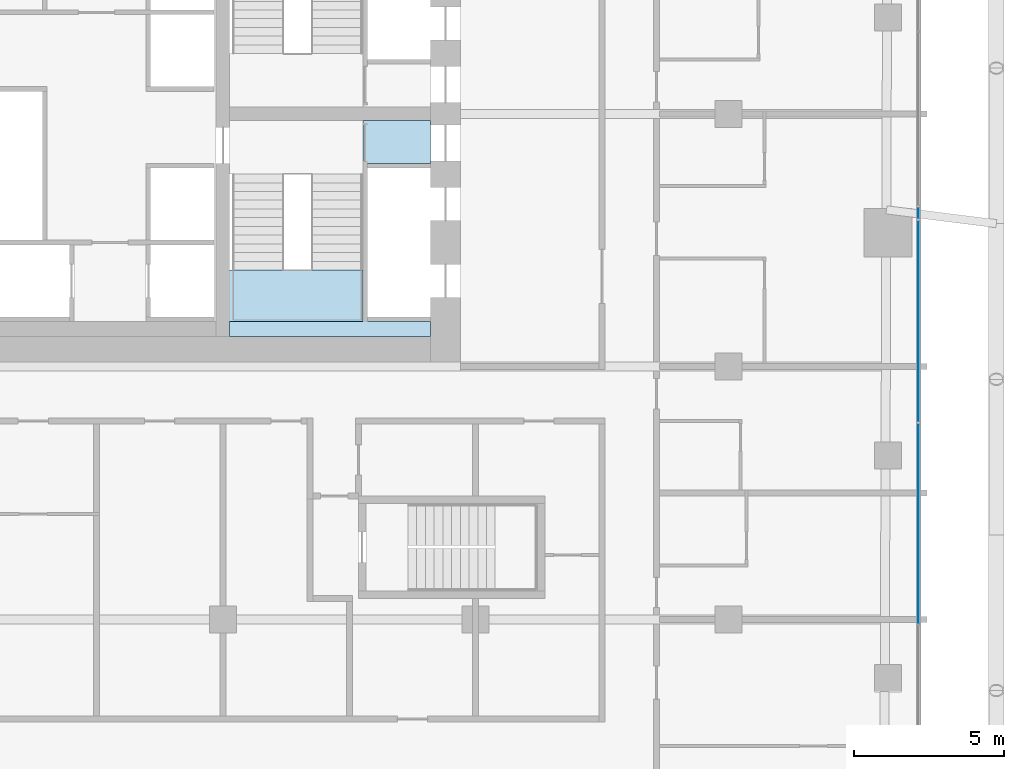
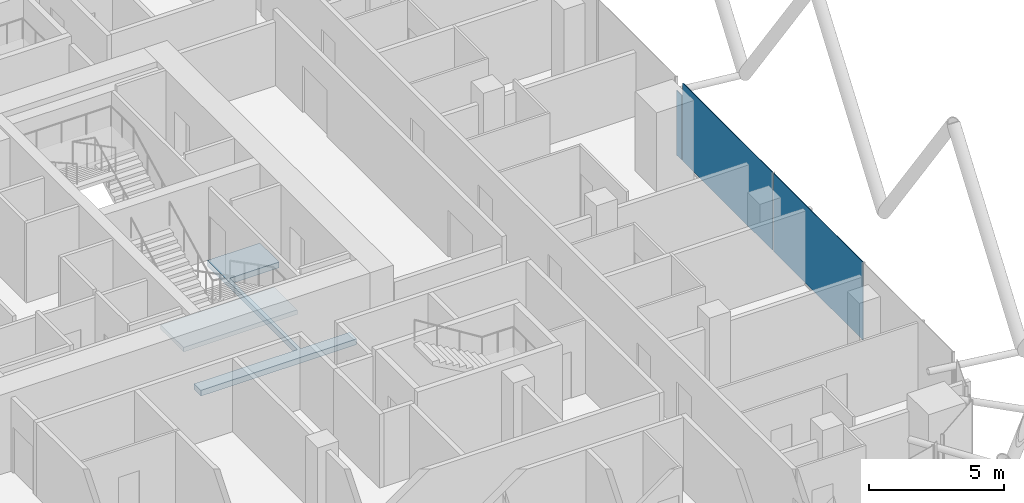
# One storey, part 23 of 36: 3 plates, 2 slabs, 3 elements without a shape of their own.
"""IFC4 building model written with IfcOpenShell, lengths in metres."""

from ifc_helpers import new_model, si_unit, direction, frame, origin, origin_2d, place, context, subcontext, project, spatial, polyline, rectangle, outline, extrude, material, layer, layer_set, type_object, element, aggregate, save


model = new_model("IFC4")

# Units and contexts
model_context = context("Model", 3, precision=1e-05, world=origin(), true_north=direction((0.0, 1.0)))
body_context = subcontext(model_context, "Body", "Model", "MODEL_VIEW")
ifc_project = project(units=[si_unit("LENGTHUNIT", "METRE"), si_unit("AREAUNIT", "SQUARE_METRE"), si_unit("VOLUMEUNIT", "CUBIC_METRE"), si_unit("PLANEANGLEUNIT", "RADIAN"), si_unit("MASSUNIT", "GRAM", prefix="KILO")], contexts=[model_context])

# Site, building, storey
site_placement = place(None, origin())
site = spatial("IfcSite", under=ifc_project, at=site_placement, CompositionType="ELEMENT")
building_placement = place(site_placement, origin())
building = spatial("IfcBuilding", under=site, at=building_placement, Name="Marenta Gate Hotel Tower", CompositionType="ELEMENT")
storey_placement = place(building_placement, frame((0.0, 0.0, 130.10009765625)))
storey = spatial("IfcBuildingStorey", under=building, at=storey_placement, Name="L29", CompositionType="ELEMENT", Elevation=130.10009765625)

# Slab
ifc_material_1 = material(Name="Concrete C40", Category="concrete")
ifc_layer_1 = layer(ifc_material_1, 0.260009765625)
ifc_layer_set_1 = layer_set([ifc_layer_1], Name="Concrete C40")
slab_type_1 = type_object("IfcSlabType", Name="Core floor slab 260", PredefinedType="FLOOR", material=ifc_layer_set_1)
slab_1_placement = place(storey_placement, frame((0.0, 0.0, -0.260009765625)))
element("IfcSlab", 1, at=slab_1_placement, inside=storey, type_object=slab_type_1, Name="L29-CF-2", PredefinedType="FLOOR", context=body_context, shape_type="SweptSolid", body=[
    extrude(outline(polyline([(8.85009765625, 1.5), (8.85009765625, 6.39990234375), (8.85009765625, 8.10009765625), (8.85009765625, 8.175048828125), (11.10009765625, 8.175048828125), (11.10009765625, 6.75), (9.0, 6.75), (9.0, 6.60009765625), (9.0, 4.199951171875), (9.0, 4.050048828125), (9.0, 1.64990234375), (9.0, 1.5), (11.10009765625, 1.5), (11.10009765625, 1.0), (4.425048828125, 1.0), (4.425048828125, 1.5), (8.85009765625, 1.5)])), origin(), (0.0, 0.0, 1.0), 0.260009765625),
])

# Stair, slab
ifc_material_2 = material(Name="Concrete C40", Category="concrete")
stair_type = type_object("IfcStairType", Name="Core exit stair 1700 wide", PredefinedType="HALF_TURN_STAIR", material=ifc_material_2)
stair_placement = place(storey_placement, origin())
stair = element("IfcStair", 2, at=stair_placement, inside=storey, type_object=stair_type, Name="Exit stair 3", PredefinedType="HALF_TURN_STAIR")
ifc_material_3 = material(Name="Concrete C40", Category="concrete")
ifc_layer_2 = layer(ifc_material_3, 0.199951171875)
ifc_layer_set_2 = layer_set([ifc_layer_2], Name="Concrete C40")
slab_type_2 = type_object("IfcSlabType", Name="Core stair landing 200", PredefinedType="LANDING", material=ifc_layer_set_2)
slab_2_placement = place(storey_placement, frame((0.0, 0.0, 1.599853515625)))
slab_2 = element("IfcSlab", 3, at=slab_2_placement, type_object=slab_type_2, Name="SL-200 ST3 landing 1", PredefinedType="LANDING", context=body_context, shape_type="SweptSolid", body=[
    extrude(outline(polyline([(3.97509765625, 1.5), (8.85009765625, 1.5), (8.85009765625, 3.2099609375), (3.97509765625, 3.2099609375), (3.97509765625, 1.5)])), origin(), (0.0, 0.0, 1.0), 0.199951171875),
])
aggregate(stair, [slab_2])

# Curtain wall, plates
ifc_material_4 = material(Name="Tinted insulated glass in bronze anodised frame", Category="glass")
ifc_layer_3 = layer(ifc_material_4, 0.1201171875)
ifc_layer_set_3 = layer_set([ifc_layer_3], Name="Tinted insulated glass in bronze anodised frame")
curtain_wall_type = type_object("IfcCurtainWallType", Name="Tower unitised curtain wall CW1", PredefinedType="NOTDEFINED", material=ifc_layer_set_3)
curtain_wall_1_placement = place(storey_placement, origin())
curtain_wall_1 = element("IfcCurtainWall", 4, at=curtain_wall_1_placement, inside=storey, type_object=curtain_wall_type, Name="CW1 run G33", PredefinedType="NOTDEFINED")
ifc_material_5 = material(Name="Tinted insulated glass", Category="glass")
ifc_layer_4 = layer(ifc_material_5, 0.028076171875)
ifc_layer_set_4 = layer_set([ifc_layer_4], Name="Tinted insulated glass")
plate_type = type_object("IfcPlateType", Name="Glass panel CW1 28 mm tinted insulated unit", PredefinedType="CURTAIN_PANEL", material=ifc_layer_set_4)
plate_1_placement = place(storey_placement, frame((27.31396484375, -5.2138671875, 0.059814453125), z_axis=(0.0, 0.0, 1.0), x_axis=(0.0, 1.0, 0.0)))
plate_1 = element("IfcPlate", 5, at=plate_1_placement, type_object=plate_type, Name="CW1 panel 2.1", PredefinedType="CURTAIN_PANEL", context=body_context, shape_type="SweptSolid", body=[
    extrude(rectangle(XDim=6.647216796875, YDim=0.028076171875, at=origin_2d()), origin(), (0.0, 0.0, 1.0), 3.5400390625),
])
plate_2_placement = place(storey_placement, frame((27.31396484375, 1.50830078125, 0.059814453125), z_axis=(0.0, 0.0, 1.0), x_axis=(0.0, 1.0, 0.0)))
plate_2 = element("IfcPlate", 6, at=plate_2_placement, type_object=plate_type, Name="CW1 panel 3.1", PredefinedType="CURTAIN_PANEL", context=body_context, shape_type="SweptSolid", body=[
    extrude(rectangle(XDim=6.67724609375, YDim=0.028076171875, at=origin_2d()), origin(), (0.0, 0.0, 1.0), 3.5400390625),
])
aggregate(curtain_wall_1, [plate_1, plate_2])

# Curtain wall, plate
curtain_wall_2_placement = place(storey_placement, origin())
curtain_wall_2 = element("IfcCurtainWall", 7, at=curtain_wall_2_placement, inside=storey, type_object=curtain_wall_type, Name="CW1 run G34", PredefinedType="NOTDEFINED")
plate_3_placement = place(storey_placement, frame((27.31396484375, 5.10546875, 0.06005859375), z_axis=(0.0, 0.0, 1.0), x_axis=(0.0, 1.0, 0.0)))
plate_3 = element("IfcPlate", 8, at=plate_3_placement, type_object=plate_type, Name="CW1 panel 1.1", PredefinedType="CURTAIN_PANEL", context=body_context, shape_type="SweptSolid", body=[
    extrude(rectangle(XDim=0.396484375, YDim=0.028076171875, at=origin_2d()), origin(), (0.0, 0.0, 1.0), 2.9404296875),
])
aggregate(curtain_wall_2, [plate_3])

save(model, "model.ifc")
